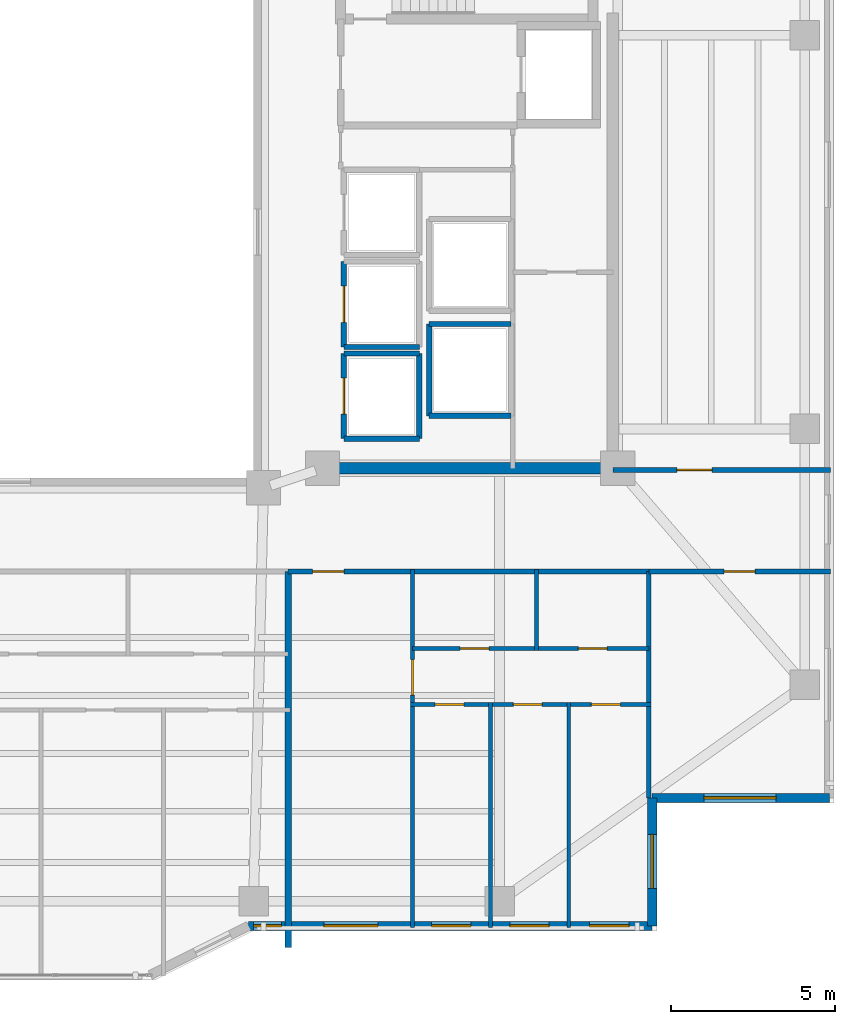
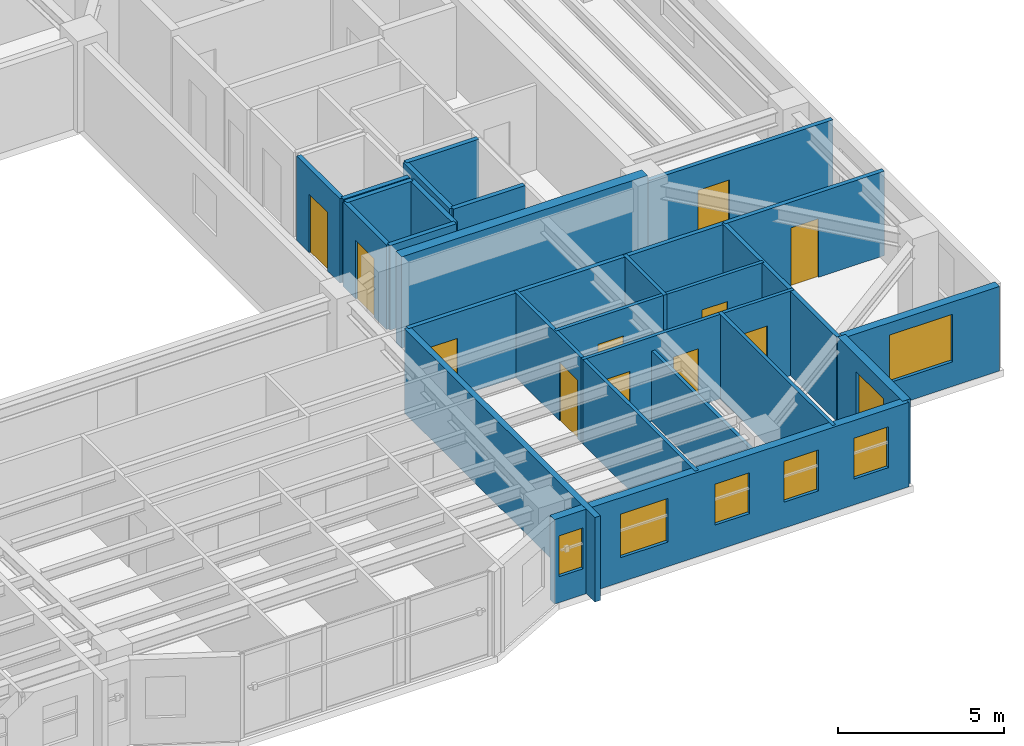
# One storey, part 8 of 16: 25 walls, 11 doors, 7 windows, 18 openings.
"""IFC4 building model written with IfcOpenShell, lengths in metres."""

from ifc_helpers import new_model, si_unit, direction, frame, frame_2d, origin, place, context, subcontext, project, spatial, rectangle, extrude, material, layer, layer_set, type_object, element, fill, save


model = new_model("IFC4")

# Units and contexts
model_context = context("Model", 3, precision=1e-05, world=origin(), true_north=direction((0.0, 1.0)))
body_context = subcontext(model_context, "Body", "Model", "MODEL_VIEW")
ifc_project = project(units=[si_unit("LENGTHUNIT", "METRE"), si_unit("AREAUNIT", "SQUARE_METRE"), si_unit("VOLUMEUNIT", "CUBIC_METRE"), si_unit("PLANEANGLEUNIT", "RADIAN"), si_unit("MASSUNIT", "GRAM", prefix="KILO")], contexts=[model_context])

# Site, building, storey
site_placement = place(None, origin())
site = spatial("IfcSite", under=ifc_project, at=site_placement, CompositionType="ELEMENT")
building_placement = place(site_placement, origin())
building = spatial("IfcBuilding", under=site, at=building_placement, Name="Tarnavaz Court Tower", CompositionType="ELEMENT")
storey_placement = place(building_placement, frame((0.0, 0.0, 146.0)))
storey = spatial("IfcBuildingStorey", under=building, at=storey_placement, Name="L39", CompositionType="ELEMENT", Elevation=146.0)

# Wall
ifc_material_1 = material(Name="Concrete C50/60", Category="concrete")
ifc_layer_1 = layer(ifc_material_1, 0.35009765625)
ifc_layer_set_1 = layer_set([ifc_layer_1], Name="Concrete C50/60")
wall_type_1 = type_object("IfcWallType", Name="WL-CORE-350-C50", PredefinedType="SHEAR", material=ifc_layer_set_1)
wall_1_placement = place(storey_placement, frame((10.074951171875, -7.199951171875, 0.0), z_axis=(0.0, 0.0, 1.0), x_axis=(1.0, 0.0, 0.0)))
element("IfcWall", 1, at=wall_1_placement, inside=storey, type_object=wall_type_1, Name="L39 East Core South Shear Wall 060", PredefinedType="SHEAR", context=body_context, shape_type="SweptSolid", body=[
    extrude(rectangle(XDim=8.550048828125, YDim=0.35009765625, at=frame_2d((4.27490234375, 0.0))), origin(), (0.0, 0.0, 1.0), 3.35009765625),
])

# Wall, opening, window
ifc_material_2 = material(Name="Precast Concrete C40/50", Category="concrete")
ifc_layer_2 = layer(ifc_material_2, 0.280029296875)
ifc_layer_set_2 = layer_set([ifc_layer_2], Name="Precast Concrete C40/50")
wall_type_2 = type_object("IfcWallType", Name="WL-EXT-280", PredefinedType="SOLIDWALL", material=ifc_layer_set_2)
wall_2_placement = place(storey_placement, frame((25.050048828125, -17.25, 0.0), z_axis=(0.0, 0.0, 1.0), x_axis=(-1.0, 0.0, 0.0)))
wall_2 = element("IfcWall", 2, at=wall_2_placement, inside=storey, type_object=wall_type_2, Name="L39 Exterior Terracotta Facade Wall 13", PredefinedType="SOLIDWALL", context=body_context, shape_type="SweptSolid", body=[
    extrude(rectangle(XDim=5.400146484375, YDim=0.280029296875, at=frame_2d((2.7001953125, 0.0))), origin(), (0.0, 0.0, 1.0), 3.10009765625),
])
opening_1_placement = place(wall_2_placement, frame((1.625, 0.0, 0.89990234375)))
opening_1 = element("IfcOpeningElement", 3, at=opening_1_placement, cuts=wall_2, Name="Opening W07", PredefinedType="OPENING", context=body_context, shape_type="SweptSolid", body=[
    extrude(rectangle(XDim=2.199951171875, YDim=1.75, at=frame_2d((1.10009765625, 0.875))), frame((0.0, 0.14990234375, 0.0), z_axis=(0.0, -1.0, 0.0), x_axis=(1.0, 0.0, 0.0)), (0.0, 0.0, 1.0), 0.300048828125),
])
ifc_material_3 = material(Name="Double-Glazed Solar Low-E Glass", Category="glass")
window_type_1 = type_object("IfcWindowType", Name="WN-APT-2200", PartitioningType="TRIPLE_PANEL_VERTICAL", PredefinedType="WINDOW", material=ifc_material_3)
window_1_placement = place(opening_1_placement, origin())
window_1 = element("IfcWindow", 4, at=window_1_placement, inside=storey, type_object=window_type_1, Name="L39 South-East Corner Reading Room Window", OverallHeight=1.75, OverallWidth=2.199951171875, PartitioningType="SINGLE_PANEL", PredefinedType="WINDOW", context=body_context, shape_type="SweptSolid", body=[
    extrude(rectangle(XDim=2.199951171875, YDim=1.75, at=frame_2d((1.10009765625, 0.875))), frame((0.0, 0.030029296875, 0.0), z_axis=(0.0, -1.0, 0.0), x_axis=(1.0, 0.0, 0.0)), (0.0, 0.0, 1.0), 0.06005859375),
])
fill(opening_1, window_1)

wall_3_placement = place(storey_placement, frame((19.64990234375, -17.25, 0.0), z_axis=(0.0, 0.0, 1.0), x_axis=(0.0, -1.0, 0.0)))
wall_3 = element("IfcWall", 5, at=wall_3_placement, inside=storey, type_object=wall_type_2, Name="L39 Exterior Terracotta Facade Wall 14", PredefinedType="SOLIDWALL", context=body_context, shape_type="SweptSolid", body=[
    extrude(rectangle(XDim=3.89990234375, YDim=0.280029296875, at=frame_2d((1.949951171875, 0.0))), origin(), (0.0, 0.0, 1.0), 3.10009765625),
])
opening_2_placement = place(wall_3_placement, frame((1.107177734375, 0.0, 0.89990234375)))
opening_2 = element("IfcOpeningElement", 6, at=opening_2_placement, cuts=wall_3, Name="Opening W02", PredefinedType="OPENING", context=body_context, shape_type="SweptSolid", body=[
    extrude(rectangle(XDim=1.64990234375, YDim=1.60009765625, at=frame_2d((0.824951171875, 0.800048828125))), frame((0.0, 0.14990234375, 0.0), z_axis=(0.0, -1.0, 0.0), x_axis=(1.0, 0.0, 0.0)), (0.0, 0.0, 1.0), 0.300048828125),
])
window_type_2 = type_object("IfcWindowType", Name="WN-APT-1650", PartitioningType="DOUBLE_PANEL_VERTICAL", PredefinedType="WINDOW", material=ifc_material_3)
window_2_placement = place(opening_2_placement, origin())
window_2 = element("IfcWindow", 7, at=window_2_placement, inside=storey, type_object=window_type_2, Name="L39 Flat 04 Bedroom 3 Window", OverallHeight=1.60009765625, OverallWidth=1.64990234375, PartitioningType="SINGLE_PANEL", PredefinedType="WINDOW", context=body_context, shape_type="SweptSolid", body=[
    extrude(rectangle(XDim=1.64990234375, YDim=1.60009765625, at=frame_2d((0.824951171875, 0.800048828125))), frame((0.0, 0.030029296875, 0.0), z_axis=(0.0, -1.0, 0.0), x_axis=(1.0, 0.0, 0.0)), (0.0, 0.0, 1.0), 0.06005859375),
])
fill(opening_2, window_2)

# Wall, openings, windows
wall_4_placement = place(storey_placement, frame((19.64990234375, -21.14990234375, 0.0), z_axis=(0.0, 0.0, 1.0), x_axis=(-1.0, 0.0, 0.0)))
wall_4 = element("IfcWall", 8, at=wall_4_placement, inside=storey, type_object=wall_type_2, Name="L39 Exterior Terracotta Facade Wall 15", PredefinedType="SOLIDWALL", context=body_context, shape_type="SweptSolid", body=[
    extrude(rectangle(XDim=12.2998046875, YDim=0.280029296875, at=frame_2d((6.14990234375, 0.0))), origin(), (0.0, 0.0, 1.0), 3.10009765625),
])
opening_3_placement = place(wall_4_placement, frame((0.705322265625, 0.0, 0.949951171875)))
opening_3 = element("IfcOpeningElement", 9, at=opening_3_placement, cuts=wall_4, Name="Opening W05", PredefinedType="OPENING", context=body_context, shape_type="SweptSolid", body=[
    extrude(rectangle(XDim=1.199951171875, YDim=1.5, at=frame_2d((0.60009765625, 0.75))), frame((0.0, 0.14990234375, 0.0), z_axis=(0.0, -1.0, 0.0), x_axis=(1.0, 0.0, 0.0)), (0.0, 0.0, 1.0), 0.300048828125),
])
opening_4_placement = place(wall_4_placement, frame((3.14013671875, 0.0, 0.949951171875)))
opening_4 = element("IfcOpeningElement", 10, at=opening_4_placement, cuts=wall_4, Name="Opening W05", PredefinedType="OPENING", context=body_context, shape_type="SweptSolid", body=[
    extrude(rectangle(XDim=1.199951171875, YDim=1.5, at=frame_2d((0.60009765625, 0.75))), frame((0.0, 0.14990234375, 0.0), z_axis=(0.0, -1.0, 0.0), x_axis=(1.0, 0.0, 0.0)), (0.0, 0.0, 1.0), 0.300048828125),
])
opening_5_placement = place(wall_4_placement, frame((5.52490234375, 0.0, 0.949951171875)))
opening_5 = element("IfcOpeningElement", 11, at=opening_5_placement, cuts=wall_4, Name="Opening W05", PredefinedType="OPENING", context=body_context, shape_type="SweptSolid", body=[
    extrude(rectangle(XDim=1.199951171875, YDim=1.5, at=frame_2d((0.60009765625, 0.75))), frame((0.0, 0.14990234375, 0.0), z_axis=(0.0, -1.0, 0.0), x_axis=(1.0, 0.0, 0.0)), (0.0, 0.0, 1.0), 0.300048828125),
])
opening_6_placement = place(wall_4_placement, frame((8.3623046875, 0.0, 0.89990234375)))
opening_6 = element("IfcOpeningElement", 12, at=opening_6_placement, cuts=wall_4, Name="Opening W02", PredefinedType="OPENING", context=body_context, shape_type="SweptSolid", body=[
    extrude(rectangle(XDim=1.64990234375, YDim=1.60009765625, at=frame_2d((0.824951171875, 0.800048828125))), frame((0.0, 0.14990234375, 0.0), z_axis=(0.0, -1.0, 0.0), x_axis=(1.0, 0.0, 0.0)), (0.0, 0.0, 1.0), 0.300048828125),
])
opening_7_placement = place(wall_4_placement, frame((11.302978515625, 0.0, 0.949951171875)))
opening_7 = element("IfcOpeningElement", 13, at=opening_7_placement, cuts=wall_4, Name="Opening W15", PredefinedType="OPENING", context=body_context, shape_type="SweptSolid", body=[
    extrude(rectangle(XDim=0.85009765625, YDim=1.5, at=frame_2d((0.425048828125, 0.75))), frame((0.0, 0.14990234375, 0.0), z_axis=(0.0, -1.0, 0.0), x_axis=(1.0, 0.0, 0.0)), (0.0, 0.0, 1.0), 0.300048828125),
])
window_type_3 = type_object("IfcWindowType", Name="WN-APT-1200", PartitioningType="SINGLE_PANEL", PredefinedType="WINDOW", material=ifc_material_3)
window_3_placement = place(opening_3_placement, origin())
window_3 = element("IfcWindow", 14, at=window_3_placement, inside=storey, type_object=window_type_3, Name="L39 Flat 04 Bedroom 3 Window", OverallHeight=1.5, OverallWidth=1.199951171875, PartitioningType="SINGLE_PANEL", PredefinedType="WINDOW", context=body_context, shape_type="SweptSolid", body=[
    extrude(rectangle(XDim=1.199951171875, YDim=1.5, at=frame_2d((0.60009765625, 0.75))), frame((0.0, 0.030029296875, 0.0), z_axis=(0.0, -1.0, 0.0), x_axis=(1.0, 0.0, 0.0)), (0.0, 0.0, 1.0), 0.06005859375),
])
fill(opening_3, window_3)
window_4_placement = place(opening_4_placement, origin())
window_4 = element("IfcWindow", 15, at=window_4_placement, inside=storey, type_object=window_type_3, Name="L39 Flat 04 Bedroom 2 Window", OverallHeight=1.5, OverallWidth=1.199951171875, PartitioningType="SINGLE_PANEL", PredefinedType="WINDOW", context=body_context, shape_type="SweptSolid", body=[
    extrude(rectangle(XDim=1.199951171875, YDim=1.5, at=frame_2d((0.60009765625, 0.75))), frame((0.0, 0.030029296875, 0.0), z_axis=(0.0, -1.0, 0.0), x_axis=(1.0, 0.0, 0.0)), (0.0, 0.0, 1.0), 0.06005859375),
])
fill(opening_4, window_4)
window_5_placement = place(opening_5_placement, origin())
window_5 = element("IfcWindow", 16, at=window_5_placement, inside=storey, type_object=window_type_3, Name="L39 Flat 04 Principal Bedroom Window", OverallHeight=1.5, OverallWidth=1.199951171875, PartitioningType="SINGLE_PANEL", PredefinedType="WINDOW", context=body_context, shape_type="SweptSolid", body=[
    extrude(rectangle(XDim=1.199951171875, YDim=1.5, at=frame_2d((0.60009765625, 0.75))), frame((0.0, 0.030029296875, 0.0), z_axis=(0.0, -1.0, 0.0), x_axis=(1.0, 0.0, 0.0)), (0.0, 0.0, 1.0), 0.06005859375),
])
fill(opening_5, window_5)
window_6_placement = place(opening_6_placement, origin())
window_6 = element("IfcWindow", 17, at=window_6_placement, inside=storey, type_object=window_type_2, Name="L39 Flat 04 Living and Dining Room Window", OverallHeight=1.60009765625, OverallWidth=1.64990234375, PartitioningType="SINGLE_PANEL", PredefinedType="WINDOW", context=body_context, shape_type="SweptSolid", body=[
    extrude(rectangle(XDim=1.64990234375, YDim=1.60009765625, at=frame_2d((0.824951171875, 0.800048828125))), frame((0.0, 0.030029296875, 0.0), z_axis=(0.0, -1.0, 0.0), x_axis=(1.0, 0.0, 0.0)), (0.0, 0.0, 1.0), 0.06005859375),
])
fill(opening_6, window_6)
window_type_4 = type_object("IfcWindowType", Name="WN-APT-850", PartitioningType="SINGLE_PANEL", PredefinedType="WINDOW", material=ifc_material_3)
window_7_placement = place(opening_7_placement, origin())
window_7 = element("IfcWindow", 18, at=window_7_placement, inside=storey, type_object=window_type_4, Name="L39 Flat 05 Bedroom 3 Window", OverallHeight=1.5, OverallWidth=0.85009765625, PartitioningType="SINGLE_PANEL", PredefinedType="WINDOW", context=body_context, shape_type="SweptSolid", body=[
    extrude(rectangle(XDim=0.85009765625, YDim=1.5, at=frame_2d((0.425048828125, 0.75))), frame((0.0, 0.030029296875, 0.0), z_axis=(0.0, -1.0, 0.0), x_axis=(1.0, 0.0, 0.0)), (0.0, 0.0, 1.0), 0.06005859375),
])
fill(opening_7, window_7)

# Wall, opening, door
ifc_material_4 = material(Name="Gypsum Fire-Board on Acoustic Metal Stud", Category="masonry")
ifc_layer_3 = layer(ifc_material_4, 0.14990234375)
ifc_layer_set_3 = layer_set([ifc_layer_3], Name="Gypsum Fire-Board on Acoustic Metal Stud")
wall_type_3 = type_object("IfcWallType", Name="WL-FIRE-150", PredefinedType="PARTITIONING", material=ifc_layer_set_3)
wall_5_placement = place(storey_placement, frame((8.550048828125, -10.35009765625, 0.0), z_axis=(0.0, 0.0, 1.0), x_axis=(1.0, 0.0, 0.0)))
wall_5 = element("IfcWall", 19, at=wall_5_placement, inside=storey, type_object=wall_type_3, Name="L39 SE Horseshoe Wall 074", PredefinedType="PARTITIONING", context=body_context, shape_type="SweptSolid", body=[
    extrude(rectangle(XDim=11.0, YDim=0.14990234375, at=frame_2d((5.5, 0.0))), origin(), (0.0, 0.0, 1.0), 3.10009765625),
])
opening_8_placement = place(wall_5_placement, frame((0.75, 0.0, 0.0)))
opening_8 = element("IfcOpeningElement", 20, at=opening_8_placement, cuts=wall_5, Name="Opening D06", PredefinedType="OPENING", context=body_context, shape_type="SweptSolid", body=[
    extrude(rectangle(XDim=0.9599609375, YDim=2.14990234375, at=frame_2d((0.47998046875, 1.074951171875))), frame((0.0, 0.0849609375, 0.0), z_axis=(0.0, -1.0, 0.0), x_axis=(1.0, 0.0, 0.0)), (0.0, 0.0, 1.0), 0.169921875),
])
ifc_material_5 = material(Name="Fire-Rated Hardwood Timber Core", Category="wood")
door_type_1 = type_object("IfcDoorType", Name="DR-FD60-950", OperationType="NOTDEFINED", PredefinedType="DOOR", material=ifc_material_5)
door_1_placement = place(opening_8_placement, origin())
door_1 = element("IfcDoor", 21, at=door_1_placement, inside=storey, type_object=door_type_1, Name="L39 Flat 04 Entrance Door", OperationType="SINGLE_SWING_RIGHT", OverallHeight=2.14990234375, OverallWidth=0.9599609375, PredefinedType="DOOR", context=body_context, shape_type="SweptSolid", body=[
    extrude(rectangle(XDim=0.9599609375, YDim=2.14990234375, at=frame_2d((0.47998046875, 1.074951171875))), frame((0.0, 0.02490234375, 0.0), z_axis=(0.0, -1.0, 0.0), x_axis=(1.0, 0.0, 0.0)), (0.0, 0.0, 1.0), 0.050048828125),
])
fill(opening_8, door_1)

wall_6_placement = place(storey_placement, frame((18.449951171875, -7.25, 0.0), z_axis=(0.0, 0.0, 1.0), x_axis=(1.0, 0.0, 0.0)))
wall_6 = element("IfcWall", 22, at=wall_6_placement, inside=storey, type_object=wall_type_3, Name="L39 Interior Partition 116", PredefinedType="PARTITIONING", context=body_context, shape_type="SweptSolid", body=[
    extrude(rectangle(XDim=6.630126953125, YDim=0.14990234375, at=frame_2d((3.31494140625, 0.0))), origin(), (0.0, 0.0, 1.0), 3.10009765625),
])
opening_9_placement = place(wall_6_placement, frame((1.949951171875, 0.0, 0.0)))
opening_9 = element("IfcOpeningElement", 23, at=opening_9_placement, cuts=wall_6, Name="Opening D12", PredefinedType="OPENING", context=body_context, shape_type="SweptSolid", body=[
    extrude(rectangle(XDim=1.080078125, YDim=2.14990234375, at=frame_2d((0.5400390625, 1.074951171875))), frame((0.0, 0.0849609375, 0.0), z_axis=(0.0, -1.0, 0.0), x_axis=(1.0, 0.0, 0.0)), (0.0, 0.0, 1.0), 0.169921875),
])
ifc_material_6 = material(Name="Engineered Oak Timber", Category="wood")
door_type_2 = type_object("IfcDoorType", Name="DR-INT-1100", OperationType="NOTDEFINED", PredefinedType="DOOR", material=ifc_material_6)
door_2_placement = place(opening_9_placement, origin())
door_2 = element("IfcDoor", 24, at=door_2_placement, inside=storey, type_object=door_type_2, Name="L39 East Fitness Lounge Door", OperationType="SINGLE_SWING_LEFT", OverallHeight=2.14990234375, OverallWidth=1.080078125, PredefinedType="DOOR", context=body_context, shape_type="SweptSolid", body=[
    extrude(rectangle(XDim=1.080078125, YDim=2.14990234375, at=frame_2d((0.5400390625, 1.074951171875))), frame((0.0, 0.02490234375, 0.0), z_axis=(0.0, -1.0, 0.0), x_axis=(1.0, 0.0, 0.0)), (0.0, 0.0, 1.0), 0.050048828125),
])
fill(opening_9, door_2)

wall_7_placement = place(storey_placement, frame((19.550048828125, -10.35009765625, 0.0), z_axis=(0.0, 0.0, 1.0), x_axis=(1.0, 0.0, 0.0)))
wall_7 = element("IfcWall", 25, at=wall_7_placement, inside=storey, type_object=wall_type_3, Name="L39 Interior Partition 125", PredefinedType="PARTITIONING", context=body_context, shape_type="SweptSolid", body=[
    extrude(rectangle(XDim=5.530029296875, YDim=0.14990234375, at=frame_2d((2.76513671875, 0.0))), origin(), (0.0, 0.0, 1.0), 3.10009765625),
])
opening_10_placement = place(wall_7_placement, frame((2.2900390625, 0.0, 0.0)))
opening_10 = element("IfcOpeningElement", 26, at=opening_10_placement, cuts=wall_7, Name="Opening D13", PredefinedType="OPENING", context=body_context, shape_type="SweptSolid", body=[
    extrude(rectangle(XDim=0.949951171875, YDim=2.14990234375, at=frame_2d((0.47509765625, 1.074951171875))), frame((0.0, 0.0849609375, 0.0), z_axis=(0.0, -1.0, 0.0), x_axis=(1.0, 0.0, 0.0)), (0.0, 0.0, 1.0), 0.169921875),
])
door_type_3 = type_object("IfcDoorType", Name="DR-INT-950", OperationType="NOTDEFINED", PredefinedType="DOOR", material=ifc_material_6)
door_3_placement = place(opening_10_placement, origin())
door_3 = element("IfcDoor", 27, at=door_3_placement, inside=storey, type_object=door_type_3, Name="L39 SE Reading Room Door", OperationType="SINGLE_SWING_LEFT", OverallHeight=2.14990234375, OverallWidth=0.949951171875, PredefinedType="DOOR", context=body_context, shape_type="SweptSolid", body=[
    extrude(rectangle(XDim=0.949951171875, YDim=2.14990234375, at=frame_2d((0.47509765625, 1.074951171875))), frame((0.0, 0.02490234375, 0.0), z_axis=(0.0, -1.0, 0.0), x_axis=(1.0, 0.0, 0.0)), (0.0, 0.0, 1.0), 0.050048828125),
])
fill(opening_10, door_3)

# Wall
ifc_material_7 = material(Name="Autoclaved Aerated Concrete Blockwork", Category="masonry")
ifc_layer_4 = layer(ifc_material_7, 0.199951171875)
ifc_layer_set_4 = layer_set([ifc_layer_4], Name="Autoclaved Aerated Concrete Blockwork")
wall_type_4 = type_object("IfcWallType", Name="WL-FIRE-200", PredefinedType="SOLIDWALL", material=ifc_layer_set_4)
wall_8_placement = place(storey_placement, frame((8.550048828125, -21.803955078125, 0.0), z_axis=(0.0, 0.0, 1.0), x_axis=(0.0, 1.0, 0.0)))
element("IfcWall", 28, at=wall_8_placement, inside=storey, type_object=wall_type_4, Name="L39 Party Wall 105", PredefinedType="SOLIDWALL", context=body_context, shape_type="SweptSolid", body=[
    extrude(rectangle(XDim=11.453857421875, YDim=0.199951171875, at=frame_2d((5.72705078125, 0.0))), origin(), (0.0, 0.0, 1.0), 3.10009765625),
])

# Wall, opening, door
ifc_material_8 = material(Name="Moisture-Resistant Gypsum Board Partition", Category="masonry")
ifc_layer_5 = layer(ifc_material_8, 0.1201171875)
ifc_layer_set_5 = layer_set([ifc_layer_5], Name="Moisture-Resistant Gypsum Board Partition")
wall_type_5 = type_object("IfcWallType", Name="WL-PART-120", PredefinedType="PARTITIONING", material=ifc_layer_set_5)
wall_9_placement = place(storey_placement, frame((12.342041015625, -21.199951171875, 0.0), z_axis=(0.0, 0.0, 1.0), x_axis=(0.0, 1.0, 0.0)))
wall_9 = element("IfcWall", 29, at=wall_9_placement, inside=storey, type_object=wall_type_5, Name="L39 Interior Partition 097", PredefinedType="PARTITIONING", context=body_context, shape_type="SweptSolid", body=[
    extrude(rectangle(XDim=10.909912109375, YDim=0.1201171875, at=frame_2d((5.455078125, 0.0))), origin(), (0.0, 0.0, 1.0), 3.10009765625),
])
opening_11_placement = place(wall_9_placement, frame((7.0849609375, 0.0, 0.0)))
opening_11 = element("IfcOpeningElement", 30, at=opening_11_placement, cuts=wall_9, Name="Opening D12", PredefinedType="OPENING", context=body_context, shape_type="SweptSolid", body=[
    extrude(rectangle(XDim=1.080078125, YDim=2.14990234375, at=frame_2d((0.5400390625, 1.074951171875))), frame((0.0, 0.070068359375, 0.0), z_axis=(0.0, -1.0, 0.0), x_axis=(1.0, 0.0, 0.0)), (0.0, 0.0, 1.0), 0.14013671875),
])
door_4_placement = place(opening_11_placement, origin())
door_4 = element("IfcDoor", 31, at=door_4_placement, inside=storey, type_object=door_type_2, Name="L39 Flat 04 Foyer Door", OperationType="SINGLE_SWING_LEFT", OverallHeight=2.14990234375, OverallWidth=1.080078125, PredefinedType="DOOR", context=body_context, shape_type="SweptSolid", body=[
    extrude(rectangle(XDim=1.080078125, YDim=2.14990234375, at=frame_2d((0.5400390625, 1.074951171875))), frame((0.0, 0.02490234375, 0.0), z_axis=(0.0, -1.0, 0.0), x_axis=(1.0, 0.0, 0.0)), (0.0, 0.0, 1.0), 0.050048828125),
])
fill(opening_11, door_4)

wall_10_placement = place(storey_placement, frame((12.342041015625, -12.68994140625, 0.0), z_axis=(0.0, 0.0, 1.0), x_axis=(1.0, 0.0, 0.0)))
wall_10 = element("IfcWall", 32, at=wall_10_placement, inside=storey, type_object=wall_type_5, Name="L39 Interior Partition 098", PredefinedType="PARTITIONING", context=body_context, shape_type="SweptSolid", body=[
    extrude(rectangle(XDim=3.787841796875, YDim=0.1201171875, at=frame_2d((1.89404296875, 0.0))), origin(), (0.0, 0.0, 1.0), 3.10009765625),
])
opening_12_placement = place(wall_10_placement, frame((1.4541015625, 0.0, 0.0)))
opening_12 = element("IfcOpeningElement", 33, at=opening_12_placement, cuts=wall_10, Name="Opening D14", PredefinedType="OPENING", context=body_context, shape_type="SweptSolid", body=[
    extrude(rectangle(XDim=0.8798828125, YDim=2.10009765625, at=frame_2d((0.43994140625, 1.050048828125))), frame((0.0, 0.070068359375, 0.0), z_axis=(0.0, -1.0, 0.0), x_axis=(1.0, 0.0, 0.0)), (0.0, 0.0, 1.0), 0.14013671875),
])
door_type_4 = type_object("IfcDoorType", Name="DR-INT-900", OperationType="NOTDEFINED", PredefinedType="DOOR", material=ifc_material_6)
door_5_placement = place(opening_12_placement, origin())
door_5 = element("IfcDoor", 34, at=door_5_placement, inside=storey, type_object=door_type_4, Name="L39 Flat 04 Kitchen Door", OperationType="SINGLE_SWING_RIGHT", OverallHeight=2.10009765625, OverallWidth=0.8798828125, PredefinedType="DOOR", context=body_context, shape_type="SweptSolid", body=[
    extrude(rectangle(XDim=0.8798828125, YDim=2.10009765625, at=frame_2d((0.43994140625, 1.050048828125))), frame((0.0, 0.02490234375, 0.0), z_axis=(0.0, -1.0, 0.0), x_axis=(1.0, 0.0, 0.0)), (0.0, 0.0, 1.0), 0.050048828125),
])
fill(opening_12, door_5)

wall_11_placement = place(storey_placement, frame((16.1298828125, -12.68994140625, 0.0), z_axis=(0.0, 0.0, 1.0), x_axis=(1.0, 0.0, 0.0)))
wall_11 = element("IfcWall", 35, at=wall_11_placement, inside=storey, type_object=wall_type_5, Name="L39 Interior Partition 099", PredefinedType="PARTITIONING", context=body_context, shape_type="SweptSolid", body=[
    extrude(rectangle(XDim=3.420166015625, YDim=0.1201171875, at=frame_2d((1.7099609375, 0.0))), origin(), (0.0, 0.0, 1.0), 3.10009765625),
])
opening_13_placement = place(wall_11_placement, frame((1.27001953125, 0.0, 0.0)))
opening_13 = element("IfcOpeningElement", 36, at=opening_13_placement, cuts=wall_11, Name="Opening D14", PredefinedType="OPENING", context=body_context, shape_type="SweptSolid", body=[
    extrude(rectangle(XDim=0.8798828125, YDim=2.10009765625, at=frame_2d((0.43994140625, 1.050048828125))), frame((0.0, 0.070068359375, 0.0), z_axis=(0.0, -1.0, 0.0), x_axis=(1.0, 0.0, 0.0)), (0.0, 0.0, 1.0), 0.14013671875),
])
door_6_placement = place(opening_13_placement, origin())
door_6 = element("IfcDoor", 37, at=door_6_placement, inside=storey, type_object=door_type_4, Name="L39 Flat 04 Bathroom Door", OperationType="SINGLE_SWING_LEFT", OverallHeight=2.10009765625, OverallWidth=0.8798828125, PredefinedType="DOOR", context=body_context, shape_type="SweptSolid", body=[
    extrude(rectangle(XDim=0.8798828125, YDim=2.10009765625, at=frame_2d((0.43994140625, 1.050048828125))), frame((0.0, 0.02490234375, 0.0), z_axis=(0.0, -1.0, 0.0), x_axis=(1.0, 0.0, 0.0)), (0.0, 0.0, 1.0), 0.050048828125),
])
fill(opening_13, door_6)

# Wall, openings, doors
wall_12_placement = place(storey_placement, frame((12.281982421875, -14.39990234375, 0.0), z_axis=(0.0, 0.0, 1.0), x_axis=(1.0, 0.0, 0.0)))
wall_12 = element("IfcWall", 38, at=wall_12_placement, inside=storey, type_object=wall_type_5, Name="L39 Interior Partition 100", PredefinedType="PARTITIONING", context=body_context, shape_type="SweptSolid", body=[
    extrude(rectangle(XDim=7.328125, YDim=0.1201171875, at=frame_2d((3.6640625, 0.0))), origin(), (0.0, 0.0, 1.0), 3.10009765625),
])
opening_14_placement = place(wall_12_placement, frame((0.7509765625, 0.0, 0.0)))
opening_14 = element("IfcOpeningElement", 39, at=opening_14_placement, cuts=wall_12, Name="Opening D14", PredefinedType="OPENING", context=body_context, shape_type="SweptSolid", body=[
    extrude(rectangle(XDim=0.8798828125, YDim=2.10009765625, at=frame_2d((0.43994140625, 1.050048828125))), frame((0.0, 0.070068359375, 0.0), z_axis=(0.0, -1.0, 0.0), x_axis=(1.0, 0.0, 0.0)), (0.0, 0.0, 1.0), 0.14013671875),
])
opening_15_placement = place(wall_12_placement, frame((3.134033203125, 0.0, 0.0)))
opening_15 = element("IfcOpeningElement", 40, at=opening_15_placement, cuts=wall_12, Name="Opening D14", PredefinedType="OPENING", context=body_context, shape_type="SweptSolid", body=[
    extrude(rectangle(XDim=0.8798828125, YDim=2.10009765625, at=frame_2d((0.43994140625, 1.050048828125))), frame((0.0, 0.070068359375, 0.0), z_axis=(0.0, -1.0, 0.0), x_axis=(1.0, 0.0, 0.0)), (0.0, 0.0, 1.0), 0.14013671875),
])
opening_16_placement = place(wall_12_placement, frame((5.51708984375, 0.0, 0.0)))
opening_16 = element("IfcOpeningElement", 41, at=opening_16_placement, cuts=wall_12, Name="Opening D14", PredefinedType="OPENING", context=body_context, shape_type="SweptSolid", body=[
    extrude(rectangle(XDim=0.8798828125, YDim=2.10009765625, at=frame_2d((0.43994140625, 1.050048828125))), frame((0.0, 0.070068359375, 0.0), z_axis=(0.0, -1.0, 0.0), x_axis=(1.0, 0.0, 0.0)), (0.0, 0.0, 1.0), 0.14013671875),
])
door_7_placement = place(opening_14_placement, origin())
door_7 = element("IfcDoor", 42, at=door_7_placement, inside=storey, type_object=door_type_4, Name="L39 Flat 04 Bedroom 1 Door", OperationType="SINGLE_SWING_RIGHT", OverallHeight=2.10009765625, OverallWidth=0.8798828125, PredefinedType="DOOR", context=body_context, shape_type="SweptSolid", body=[
    extrude(rectangle(XDim=0.8798828125, YDim=2.10009765625, at=frame_2d((0.43994140625, 1.050048828125))), frame((0.0, 0.02490234375, 0.0), z_axis=(0.0, -1.0, 0.0), x_axis=(1.0, 0.0, 0.0)), (0.0, 0.0, 1.0), 0.050048828125),
])
fill(opening_14, door_7)
door_8_placement = place(opening_15_placement, origin())
door_8 = element("IfcDoor", 43, at=door_8_placement, inside=storey, type_object=door_type_4, Name="L39 Flat 04 Bedroom 2 Door", OperationType="SINGLE_SWING_LEFT", OverallHeight=2.10009765625, OverallWidth=0.8798828125, PredefinedType="DOOR", context=body_context, shape_type="SweptSolid", body=[
    extrude(rectangle(XDim=0.8798828125, YDim=2.10009765625, at=frame_2d((0.43994140625, 1.050048828125))), frame((0.0, 0.02490234375, 0.0), z_axis=(0.0, -1.0, 0.0), x_axis=(1.0, 0.0, 0.0)), (0.0, 0.0, 1.0), 0.050048828125),
])
fill(opening_15, door_8)
door_9_placement = place(opening_16_placement, origin())
door_9 = element("IfcDoor", 44, at=door_9_placement, inside=storey, type_object=door_type_4, Name="L39 Flat 04 Bedroom 3 Door", OperationType="SINGLE_SWING_RIGHT", OverallHeight=2.10009765625, OverallWidth=0.8798828125, PredefinedType="DOOR", context=body_context, shape_type="SweptSolid", body=[
    extrude(rectangle(XDim=0.8798828125, YDim=2.10009765625, at=frame_2d((0.43994140625, 1.050048828125))), frame((0.0, 0.02490234375, 0.0), z_axis=(0.0, -1.0, 0.0), x_axis=(1.0, 0.0, 0.0)), (0.0, 0.0, 1.0), 0.050048828125),
])
fill(opening_16, door_9)

# Walls
wall_13_placement = place(storey_placement, frame((16.1298828125, -12.75, 0.0), z_axis=(0.0, 0.0, 1.0), x_axis=(0.0, 1.0, 0.0)))
element("IfcWall", 45, at=wall_13_placement, inside=storey, type_object=wall_type_5, Name="L39 Interior Partition 101", PredefinedType="PARTITIONING", context=body_context, shape_type="SweptSolid", body=[
    extrude(rectangle(XDim=2.4599609375, YDim=0.1201171875, at=frame_2d((1.22998046875, 0.0))), origin(), (0.0, 0.0, 1.0), 3.10009765625),
])
wall_14_placement = place(storey_placement, frame((14.72509765625, -21.199951171875, 0.0), z_axis=(0.0, 0.0, 1.0), x_axis=(0.0, 1.0, 0.0)))
element("IfcWall", 46, at=wall_14_placement, inside=storey, type_object=wall_type_5, Name="L39 Interior Partition 102", PredefinedType="PARTITIONING", context=body_context, shape_type="SweptSolid", body=[
    extrude(rectangle(XDim=6.85986328125, YDim=0.1201171875, at=frame_2d((3.429931640625, 0.0))), origin(), (0.0, 0.0, 1.0), 2.5849609375),
])
wall_15_placement = place(storey_placement, frame((17.10693359375, -21.199951171875, 0.0), z_axis=(0.0, 0.0, 1.0), x_axis=(0.0, 1.0, 0.0)))
element("IfcWall", 47, at=wall_15_placement, inside=storey, type_object=wall_type_5, Name="L39 Interior Partition 103", PredefinedType="PARTITIONING", context=body_context, shape_type="SweptSolid", body=[
    extrude(rectangle(XDim=6.85986328125, YDim=0.1201171875, at=frame_2d((3.429931640625, 0.0))), origin(), (0.0, 0.0, 1.0), 3.10009765625),
])
ifc_material_9 = material(Name="Gypsum Plasterboard Acoustic Partition", Category="masonry")
ifc_layer_6 = layer(ifc_material_9, 0.139892578125)
ifc_layer_set_6 = layer_set([ifc_layer_6], Name="Gypsum Plasterboard Acoustic Partition")
wall_type_6 = type_object("IfcWallType", Name="WL-PART-150", PredefinedType="PARTITIONING", material=ifc_layer_set_6)
wall_16_placement = place(storey_placement, frame((19.550048828125, -17.25, 0.0), z_axis=(0.0, 0.0, 1.0), x_axis=(0.0, 1.0, 0.0)))
element("IfcWall", 48, at=wall_16_placement, inside=storey, type_object=wall_type_6, Name="L39 Interior Partition 119", PredefinedType="PARTITIONING", context=body_context, shape_type="SweptSolid", body=[
    extrude(rectangle(XDim=6.89990234375, YDim=0.139892578125, at=frame_2d((3.449951171875, 0.0))), origin(), (0.0, 0.0, 1.0), 3.10009765625),
])

# Wall, opening, door
ifc_layer_7 = layer(ifc_material_7, 0.159912109375)
ifc_layer_set_7 = layer_set([ifc_layer_7], Name="Autoclaved Aerated Concrete Blockwork")
wall_type_7 = type_object("IfcWallType", Name="WL-SHAFT-150", PredefinedType="SOLIDWALL", material=ifc_layer_set_7)
wall_17_placement = place(storey_placement, frame((10.25, -6.300048828125, 0.0), z_axis=(0.0, 0.0, 1.0), x_axis=(0.0, 1.0, 0.0)))
wall_17 = element("IfcWall", 49, at=wall_17_placement, inside=storey, type_object=wall_type_7, Name="L39 Lift PL-M1 Shaft Wall 037", PredefinedType="SOLIDWALL", context=body_context, shape_type="SweptSolid", body=[
    extrude(rectangle(XDim=2.60009765625, YDim=0.159912109375, at=frame_2d((1.300048828125, 0.0))), origin(), (0.0, 0.0, 1.0), 3.10009765625),
])
opening_17_placement = place(wall_17_placement, frame((0.75, 0.0, 0.0)))
opening_17 = element("IfcOpeningElement", 50, at=opening_17_placement, cuts=wall_17, Name="Opening LD1", PredefinedType="OPENING", context=body_context, shape_type="SweptSolid", body=[
    extrude(rectangle(XDim=1.10009765625, YDim=2.14990234375, at=frame_2d((0.550048828125, 1.074951171875))), frame((0.0, 0.08984375, 0.0), z_axis=(0.0, -1.0, 0.0), x_axis=(1.0, 0.0, 0.0)), (0.0, 0.0, 1.0), 0.179931640625),
])
ifc_material_10 = material(Name="Stainless Steel", Category="steel")
door_type_5 = type_object("IfcDoorType", Name="DR-LD-1100", OperationType="NOTDEFINED", PredefinedType="DOOR", material=ifc_material_10)
door_10_placement = place(opening_17_placement, origin())
door_10 = element("IfcDoor", 51, at=door_10_placement, inside=storey, type_object=door_type_5, Name="L39 Lift Landing Door LD-PL-M1", OperationType="SLIDING_TO_LEFT", OverallHeight=2.14990234375, OverallWidth=1.10009765625, PredefinedType="DOOR", context=body_context, shape_type="SweptSolid", body=[
    extrude(rectangle(XDim=1.10009765625, YDim=2.14990234375, at=frame_2d((0.550048828125, 1.074951171875))), frame((0.0, 0.02490234375, 0.0), z_axis=(0.0, -1.0, 0.0), x_axis=(1.0, 0.0, 0.0)), (0.0, 0.0, 1.0), 0.050048828125),
])
fill(opening_17, door_10)

# Walls
wall_18_placement = place(storey_placement, frame((12.550048828125, -6.300048828125, 0.0), z_axis=(0.0, 0.0, 1.0), x_axis=(0.0, 1.0, 0.0)))
element("IfcWall", 52, at=wall_18_placement, inside=storey, type_object=wall_type_7, Name="L39 Lift PL-M1 Shaft Wall 038", PredefinedType="SOLIDWALL", context=body_context, shape_type="SweptSolid", body=[
    extrude(rectangle(XDim=2.60009765625, YDim=0.159912109375, at=frame_2d((1.300048828125, 0.0))), origin(), (0.0, 0.0, 1.0), 3.10009765625),
])
for number, where, z_axis, x_axis, name in (
    (53, (10.25, -6.300048828125, 0.0), (0.0, 0.0, 1.0), (1.0, 0.0, 0.0), "L39 Lift PL-M1 Shaft Wall 039"),
    (54, (10.25, -3.699951171875, 0.0), (0.0, 0.0, 1.0), (1.0, 0.0, 0.0), "L39 Lift PL-M1 Shaft Wall 040"),
):
    element("IfcWall", number, at=place(storey_placement, frame(where, z_axis=z_axis, x_axis=x_axis)), inside=storey, type_object=wall_type_7, Name=name, PredefinedType="SOLIDWALL", context=body_context, shape_type="SweptSolid", body=[
        extrude(rectangle(XDim=2.300048828125, YDim=0.159912109375, at=frame_2d((1.14990234375, 0.0))), origin(), (0.0, 0.0, 1.0), 3.10009765625),
    ])

# Wall, opening, door
wall_19_placement = place(storey_placement, frame((10.25, -3.5, 0.0), z_axis=(0.0, 0.0, 1.0), x_axis=(0.0, 1.0, 0.0)))
wall_19 = element("IfcWall", 55, at=wall_19_placement, inside=storey, type_object=wall_type_7, Name="L39 Lift PL-M2 Shaft Wall 041", PredefinedType="SOLIDWALL", context=body_context, shape_type="SweptSolid", body=[
    extrude(rectangle(XDim=2.60009765625, YDim=0.159912109375, at=frame_2d((1.300048828125, 0.0))), origin(), (0.0, 0.0, 1.0), 3.10009765625),
])
opening_18_placement = place(wall_19_placement, frame((0.75, 0.0, 0.0)))
opening_18 = element("IfcOpeningElement", 56, at=opening_18_placement, cuts=wall_19, Name="Opening LD1", PredefinedType="OPENING", context=body_context, shape_type="SweptSolid", body=[
    extrude(rectangle(XDim=1.10009765625, YDim=2.14990234375, at=frame_2d((0.550048828125, 1.074951171875))), frame((0.0, 0.08984375, 0.0), z_axis=(0.0, -1.0, 0.0), x_axis=(1.0, 0.0, 0.0)), (0.0, 0.0, 1.0), 0.179931640625),
])
door_11_placement = place(opening_18_placement, origin())
door_11 = element("IfcDoor", 57, at=door_11_placement, inside=storey, type_object=door_type_5, Name="L39 Lift Landing Door LD-PL-M2", OperationType="SLIDING_TO_LEFT", OverallHeight=2.14990234375, OverallWidth=1.10009765625, PredefinedType="DOOR", context=body_context, shape_type="SweptSolid", body=[
    extrude(rectangle(XDim=1.10009765625, YDim=2.14990234375, at=frame_2d((0.550048828125, 1.074951171875))), frame((0.0, 0.02490234375, 0.0), z_axis=(0.0, -1.0, 0.0), x_axis=(1.0, 0.0, 0.0)), (0.0, 0.0, 1.0), 0.050048828125),
])
fill(opening_18, door_11)

# Walls
wall_20_placement = place(storey_placement, frame((10.25, -3.5, 0.0), z_axis=(0.0, 0.0, 1.0), x_axis=(1.0, 0.0, 0.0)))
element("IfcWall", 58, at=wall_20_placement, inside=storey, type_object=wall_type_7, Name="L39 Lift PL-M2 Shaft Wall 043", PredefinedType="SOLIDWALL", context=body_context, shape_type="SweptSolid", body=[
    extrude(rectangle(XDim=2.300048828125, YDim=0.159912109375, at=frame_2d((1.14990234375, 0.0))), origin(), (0.0, 0.0, 1.0), 3.10009765625),
])
wall_21_placement = place(storey_placement, frame((12.85009765625, -5.60009765625, 0.0), z_axis=(0.0, 0.0, 1.0), x_axis=(0.0, 1.0, 0.0)))
element("IfcWall", 59, at=wall_21_placement, inside=storey, type_object=wall_type_7, Name="L39 Lift PL-OB1 Shaft Wall 049", PredefinedType="SOLIDWALL", context=body_context, shape_type="SweptSolid", body=[
    extrude(rectangle(XDim=2.800048828125, YDim=0.159912109375, at=frame_2d((1.39990234375, 0.0))), origin(), (0.0, 0.0, 1.0), 3.10009765625),
])
for number, where, z_axis, x_axis, name in (
    (60, (12.85009765625, -5.60009765625, 0.0), (0.0, 0.0, 1.0), (1.0, 0.0, 0.0), "L39 Lift PL-OB1 Shaft Wall 051"),
    (61, (12.85009765625, -2.800048828125, 0.0), (0.0, 0.0, 1.0), (1.0, 0.0, 0.0), "L39 Lift PL-OB1 Shaft Wall 052"),
):
    element("IfcWall", number, at=place(storey_placement, frame(where, z_axis=z_axis, x_axis=x_axis)), inside=storey, type_object=wall_type_7, Name=name, PredefinedType="SOLIDWALL", context=body_context, shape_type="SweptSolid", body=[
        extrude(rectangle(XDim=2.5, YDim=0.159912109375, at=frame_2d((1.25, 0.0))), origin(), (0.0, 0.0, 1.0), 3.10009765625),
    ])

save(model, "model.ifc")
